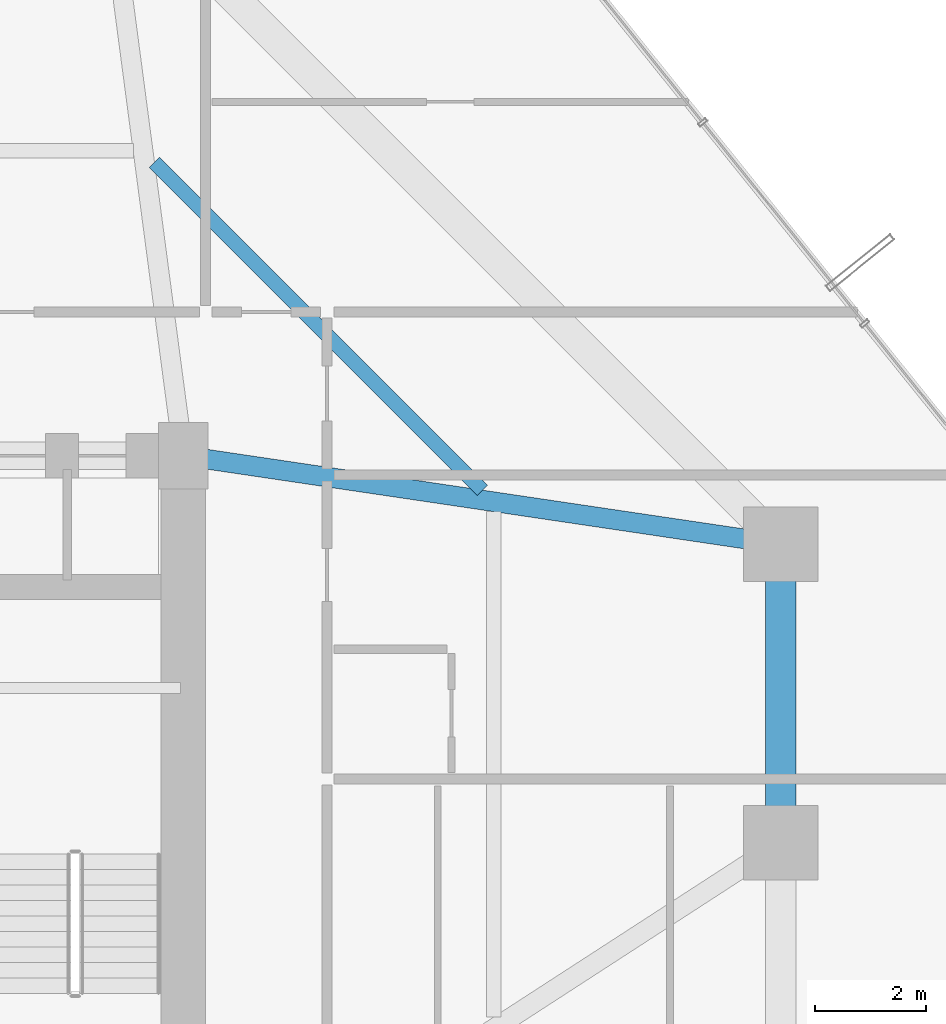
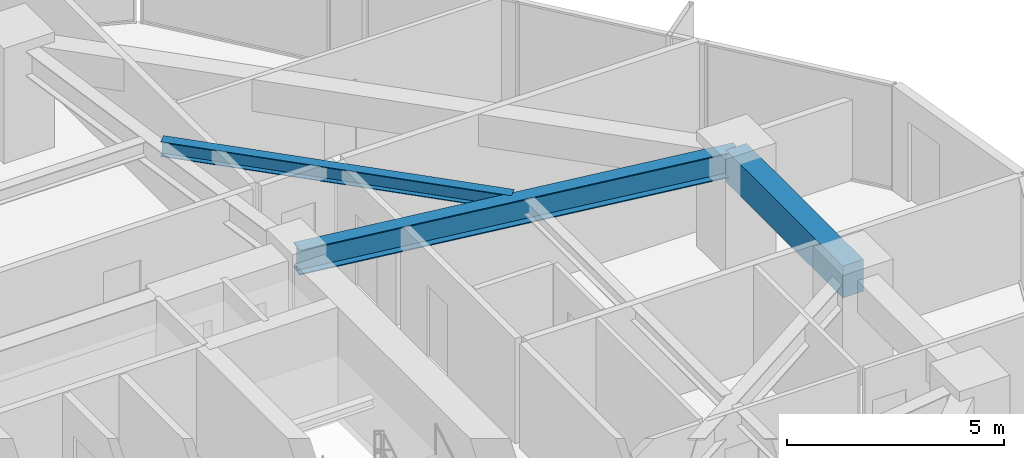
# One storey, part 19 of 37: 3 beams.
"""IFC4 building model written with IfcOpenShell, lengths in metres."""

from ifc_helpers import new_model, si_unit, direction, frame, origin, origin_2d, place, context, subcontext, project, spatial, rectangle, i_section, extrude, material, material_profile, profile_set, type_object, element, save


model = new_model("IFC4")

# Units and contexts
model_context = context("Model", 3, precision=1e-05, world=origin(), true_north=direction((0.0, 1.0)))
body_context = subcontext(model_context, "Body", "Model", "MODEL_VIEW")
ifc_project = project(units=[si_unit("LENGTHUNIT", "METRE"), si_unit("AREAUNIT", "SQUARE_METRE"), si_unit("VOLUMEUNIT", "CUBIC_METRE"), si_unit("PLANEANGLEUNIT", "RADIAN"), si_unit("MASSUNIT", "GRAM", prefix="KILO")], contexts=[model_context])

# Site, building, storey
site_placement = place(None, origin())
site = spatial("IfcSite", under=ifc_project, at=site_placement, CompositionType="ELEMENT")
building_placement = place(site_placement, origin())
building = spatial("IfcBuilding", under=site, at=building_placement, Name="Veraguas Prism Commons", CompositionType="ELEMENT")
storey_placement = place(building_placement, frame((0.0, 0.0, 53.300048828125)))
storey = spatial("IfcBuildingStorey", under=building, at=storey_placement, Name="L14", CompositionType="ELEMENT", Elevation=53.300048828125)

# Beams
ifc_material_1 = material(Name="Steel ASTM A992 Grade 50", Category="steel")
ifc_material_profile_1 = material_profile(ifc_material_1, i_section(OverallWidth=0.260986328125, OverallDepth=0.419921875, WebThickness=0.01171875, FlangeThickness=0.019287109375, at=origin_2d()), Name="W410X114")
ifc_profile_set_1 = profile_set([ifc_material_profile_1], Name="Steel ASTM A992 Grade 50")
beam_type_1 = type_object("IfcBeamType", Name="Lower Floor Joist W410x114", PredefinedType="JOIST", material=ifc_profile_set_1)
beam_1_placement = place(storey_placement, frame((36.20703125, 30.376953125, 2.760009765625), z_axis=(-0.707092226423, 0.70712133565, 0.0), x_axis=(-0.70712133565, -0.707092226423, 0.0)))
element("IfcBeam", 1, at=beam_1_placement, inside=storey, type_object=beam_type_1, Name="Composite Floor Joist L14-JS03", PredefinedType="JOIST", context=body_context, shape_type="SweptSolid", body=[
    extrude(i_section(OverallWidth=0.260986328125, OverallDepth=0.419921875, WebThickness=0.01171875, FlangeThickness=0.019287109375, at=origin_2d()), origin(), (0.0, 0.0, 1.0), 8.386962890625),
])
ifc_material_2 = material(Name="Concrete C50/60", Category="concrete")
ifc_material_profile_2 = material_profile(ifc_material_2, rectangle(XDim=0.550048828125, YDim=0.89990234375, at=origin_2d()), Name="RC550X900")
ifc_profile_set_2 = profile_set([ifc_material_profile_2], Name="Concrete C50/60")
beam_type_2 = type_object("IfcBeamType", Name="Perimeter Spandrel Lower RC 550x900", PredefinedType="SPANDREL", material=ifc_profile_set_2)
beam_2_placement = place(storey_placement, frame((41.60009765625, 24.0, 2.52001953125), z_axis=(0.0, 1.0, 0.0), x_axis=(-1.0, 0.0, 0.0)))
element("IfcBeam", 2, at=beam_2_placement, inside=storey, type_object=beam_type_2, Name="Perimeter Spandrel Beam L14-SP02", PredefinedType="SPANDREL", context=body_context, shape_type="SweptSolid", body=[
    extrude(rectangle(XDim=0.550048828125, YDim=0.89990234375, at=origin_2d()), origin(), (0.0, 0.0, 1.0), 5.39990234375),
])
ifc_material_profile_3 = material_profile(ifc_material_1, i_section(OverallWidth=0.35595703125, OverallDepth=0.700927734375, WebThickness=0.016845703125, FlangeThickness=0.02734375, at=origin_2d()), Name="W690X240")
ifc_profile_set_3 = profile_set([ifc_material_profile_3], Name="Steel ASTM A992 Grade 50")
beam_type_3 = type_object("IfcBeamType", Name="Zone 1 Radial Girder W690x240", PredefinedType="BEAM", material=ifc_profile_set_3)
beam_3_placement = place(storey_placement, frame((41.60009765625, 29.39990234375, 2.619384765625), z_axis=(-0.989202261707, 0.146556765224, 0.0), x_axis=(-0.146556765224, -0.989202261707, 0.0)))
element("IfcBeam", 3, at=beam_3_placement, inside=storey, type_object=beam_type_3, Name="Radial Floor Girder L14-RD03", PredefinedType="BEAM", context=body_context, shape_type="SweptSolid", body=[
    extrude(i_section(OverallWidth=0.35595703125, OverallDepth=0.700927734375, WebThickness=0.016845703125, FlangeThickness=0.02734375, at=origin_2d()), origin(), (0.0, 0.0, 1.0), 10.91796875),
])

save(model, "model.ifc")
